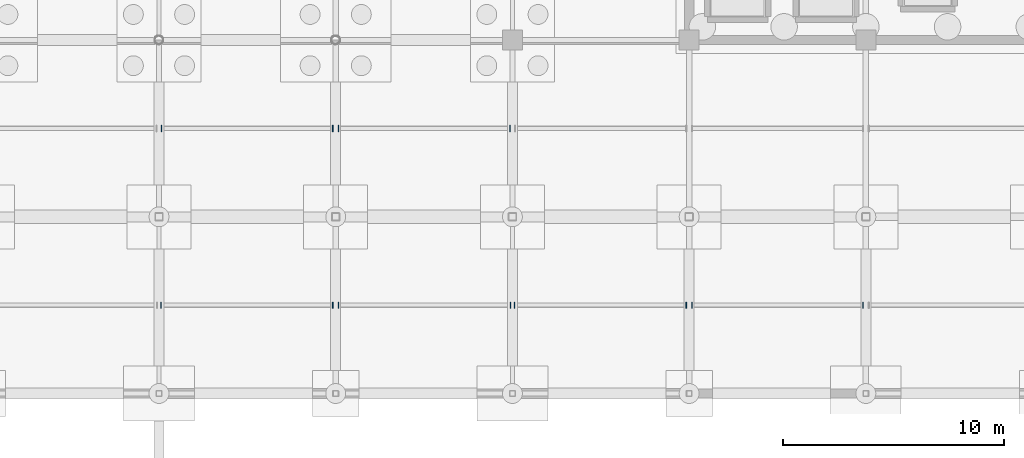
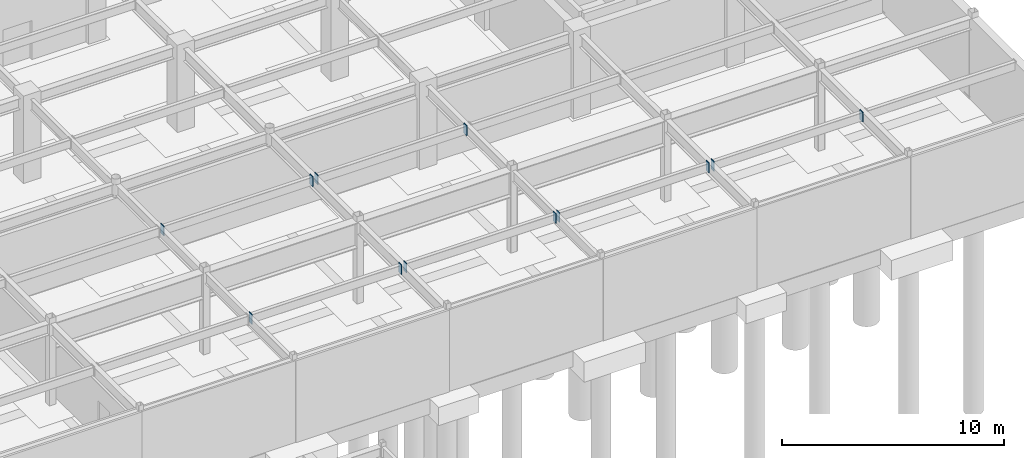
# One storey, part 92 of 105: 12 discrete accessories.
"""IFC4 building model written with IfcOpenShell, lengths in metres."""

from ifc_helpers import new_model, si_unit, direction, frame, origin, origin_2d, place, context, subcontext, project, spatial, rectangle, extrude, material, layer, layer_set, type_object, element, save


model = new_model("IFC4")

# Units and contexts
model_context = context("Model", 3, precision=1e-05, world=origin(), true_north=direction((0.0, 1.0)))
body_context = subcontext(model_context, "Body", "Model", "MODEL_VIEW")
ifc_project = project(units=[si_unit("LENGTHUNIT", "METRE"), si_unit("AREAUNIT", "SQUARE_METRE"), si_unit("VOLUMEUNIT", "CUBIC_METRE"), si_unit("PLANEANGLEUNIT", "RADIAN"), si_unit("MASSUNIT", "GRAM", prefix="KILO")], contexts=[model_context])

# Site, building, storey
site_placement = place(None, origin())
site = spatial("IfcSite", under=ifc_project, at=site_placement, CompositionType="ELEMENT")
building_placement = place(site_placement, origin())
building = spatial("IfcBuilding", under=site, at=building_placement, Name="Solmirada Galleria", CompositionType="ELEMENT")
storey_placement = place(building_placement, frame((0.0, 0.0, -4.800048828125)))
storey = spatial("IfcBuildingStorey", under=building, at=storey_placement, Name="B1", CompositionType="ELEMENT", Elevation=-4.800048828125)

# Discrete accessories
ifc_material = material(Name="Steel S355 / ASTM A572 Grade 50", Category="steel")
ifc_layer = layer(ifc_material, 0.031982421875)
ifc_layer_set = layer_set([ifc_layer], Name="Steel S355 / ASTM A572 Grade 50")
discrete_accessory_type = type_object("IfcDiscreteAccessoryType", Name="ACC-COL-CAP", PredefinedType="BRACKET", material=ifc_layer_set)
for number, where, z_axis, x_axis, name in (
    (1, (136.089111328125, 76.0, 4.00146484375), (0.0, 0.0, 1.0), (1.0, 0.0, 0.0), "Hollow joist end plate L00-18-10-L"),
    (2, (143.8720703125, 76.0, 4.00146484375), (0.0, 0.0, 1.0), (1.0, 0.0, 0.0), "Hollow joist end plate L00-18-10-R"),
    (3, (136.114013671875, 84.0, 4.00146484375), (0.0, 0.0, 1.0), (1.0, 0.0, 0.0), "Hollow joist end plate L00-18-11-L"),
    (4, (143.8720703125, 84.0, 4.00146484375), (0.0, 0.0, 1.0), (1.0, 0.0, 0.0), "Hollow joist end plate L00-18-11-R"),
    (5, (144.1279296875, 76.0, 4.00146484375), (0.0, 0.0, 1.0), (1.0, 0.0, 0.0), "Hollow joist end plate L00-19-10-L"),
    (6, (151.910888671875, 76.0, 4.00146484375), (0.0, 0.0, 1.0), (1.0, 0.0, 0.0), "Hollow joist end plate L00-19-10-R"),
    (7, (144.1279296875, 84.0, 4.00146484375), (0.0, 0.0, 1.0), (1.0, 0.0, 0.0), "Hollow joist end plate L00-19-11-L"),
    (8, (151.885986328125, 84.0, 4.00146484375), (0.0, 0.0, 1.0), (1.0, 0.0, 0.0), "Hollow joist end plate L00-19-11-R"),
    (9, (152.089111328125, 76.0, 4.00146484375), (0.0, 0.0, 1.0), (1.0, 0.0, 0.0), "Hollow joist end plate L00-20-10-L"),
    (10, (159.873046875, 76.0, 4.00146484375), (0.0, 0.0, 1.0), (1.0, 0.0, 0.0), "Hollow joist end plate L00-20-10-R"),
    (11, (160.126953125, 76.0, 4.00146484375), (0.0, 0.0, 1.0), (1.0, 0.0, 0.0), "Hollow joist end plate L00-21-10-L"),
    (12, (167.8720703125, 76.0, 4.00146484375), (0.0, 0.0, 1.0), (1.0, 0.0, 0.0), "Hollow joist end plate L00-21-10-R"),
):
    element("IfcDiscreteAccessory", number, at=place(storey_placement, frame(where, z_axis=z_axis, x_axis=x_axis)), inside=storey, type_object=discrete_accessory_type, Name=name, PredefinedType="BRACKET", context=body_context, shape_type="SweptSolid", body=[
        extrude(rectangle(XDim=0.035888671875, YDim=0.280029296875, at=origin_2d()), origin(), (0.0, 0.0, 1.0), 0.5400390625),
    ])

save(model, "model.ifc")
